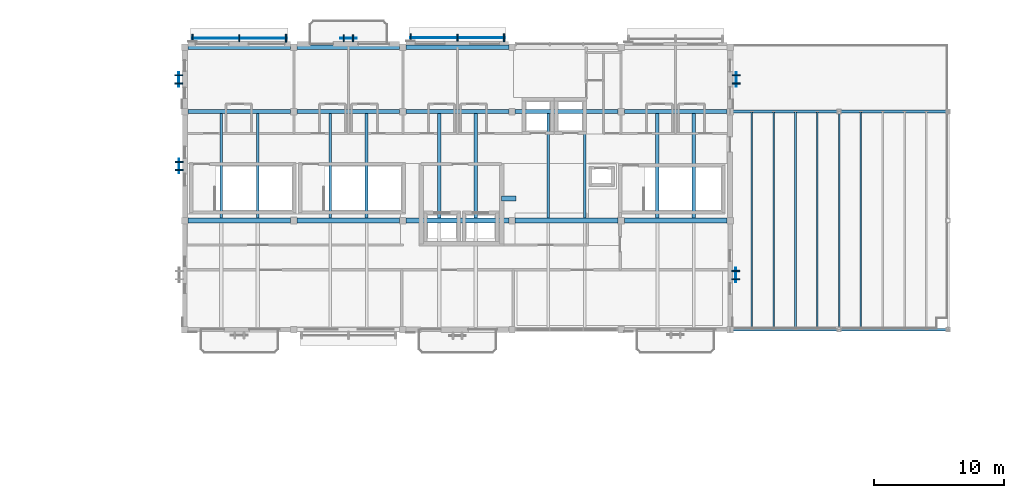
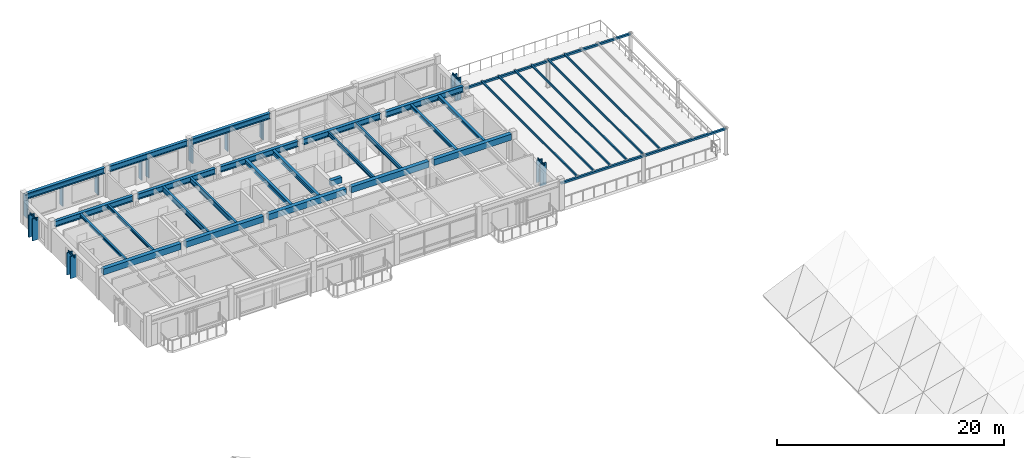
# One storey, part 6 of 24: 31 members, 24 beams, 7 elements without a shape of their own.
"""IFC4 building model written with IfcOpenShell, lengths in metres."""

from ifc_helpers import new_model, si_unit, direction, frame, origin, origin_2d, place, context, subcontext, project, spatial, rectangle, hollow_rectangle, i_section, extrude, material, material_profile, profile_set, type_object, element, aggregate, save


model = new_model("IFC4")

# Units and contexts
model_context = context("Model", 3, precision=1e-05, world=origin(), true_north=direction((0.0, 1.0)))
body_context = subcontext(model_context, "Body", "Model", "MODEL_VIEW")
ifc_project = project(units=[si_unit("LENGTHUNIT", "METRE"), si_unit("AREAUNIT", "SQUARE_METRE"), si_unit("VOLUMEUNIT", "CUBIC_METRE"), si_unit("PLANEANGLEUNIT", "RADIAN"), si_unit("MASSUNIT", "GRAM", prefix="KILO")], contexts=[model_context])

# Site, building, storey
site_placement = place(None, origin())
site = spatial("IfcSite", under=ifc_project, at=site_placement, CompositionType="ELEMENT")
building_placement = place(site_placement, origin())
building = spatial("IfcBuilding", under=site, at=building_placement, Name="Cumbredor Promenade Congress Hotel", CompositionType="ELEMENT")
storey_placement = place(building_placement, frame((0.0, 0.0, 35.280029296875)))
storey = spatial("IfcBuildingStorey", under=building, at=storey_placement, Name="L10", CompositionType="ELEMENT", Elevation=35.280029296875)

# Beams
ifc_material_1 = material(Name="Concrete C40/50", Category="concrete")
ifc_material_profile_1 = material_profile(ifc_material_1, rectangle(XDim=0.39990234375, YDim=0.64990234375, at=origin_2d()), Name="RC BEAM 400x650")
ifc_profile_set_1 = profile_set([ifc_material_profile_1], Name="Concrete C40/50")
beam_type_1 = type_object("IfcBeamType", Name="BM-RC-400x650", PredefinedType="BEAM", material=ifc_profile_set_1)
beam_1_placement = place(storey_placement, frame((8.64990234375, 100.800048828125, 2.81494140625), z_axis=(1.0, 0.0, 0.0), x_axis=(0.0, 1.0, 0.0)))
element("IfcBeam", 1, at=beam_1_placement, inside=storey, type_object=beam_type_1, Name="RF X-Grid Beam 002", PredefinedType="BEAM", context=body_context, shape_type="SweptSolid", body=[
    extrude(rectangle(XDim=0.39990234375, YDim=0.64990234375, at=origin_2d()), origin(), (0.0, 0.0, 1.0), 7.900146484375),
])
beam_2_placement = place(storey_placement, frame((17.050048828125, 100.800048828125, 2.81494140625), z_axis=(1.0, 0.0, 0.0), x_axis=(0.0, 1.0, 0.0)))
element("IfcBeam", 2, at=beam_2_placement, inside=storey, type_object=beam_type_1, Name="RF X-Grid Beam 006", PredefinedType="BEAM", context=body_context, shape_type="SweptSolid", body=[
    extrude(rectangle(XDim=0.39990234375, YDim=0.64990234375, at=origin_2d()), origin(), (0.0, 0.0, 1.0), 7.89990234375),
])
beam_3_placement = place(storey_placement, frame((25.449951171875, 100.800048828125, 2.81494140625), z_axis=(1.0, 0.0, 0.0), x_axis=(0.0, 1.0, 0.0)))
element("IfcBeam", 3, at=beam_3_placement, inside=storey, type_object=beam_type_1, Name="RF X-Grid Beam 010", PredefinedType="BEAM", context=body_context, shape_type="SweptSolid", body=[
    extrude(rectangle(XDim=0.39990234375, YDim=0.64990234375, at=origin_2d()), origin(), (0.0, 0.0, 1.0), 7.900146484375),
])
for number, where, z_axis, x_axis, name in (
    (4, (33.85009765625, 100.800048828125, 2.81494140625), (1.0, 0.0, 0.0), (0.0, 1.0, 0.0), "RF X-Grid Beam 014"),
    (5, (42.25, 100.800048828125, 2.81494140625), (1.0, 0.0, 0.0), (0.0, 1.0, 0.0), "RF X-Grid Beam 018"),
):
    element("IfcBeam", number, at=place(storey_placement, frame(where, z_axis=z_axis, x_axis=x_axis)), inside=storey, type_object=beam_type_1, Name=name, PredefinedType="BEAM", context=body_context, shape_type="SweptSolid", body=[
        extrude(rectangle(XDim=0.39990234375, YDim=0.64990234375, at=origin_2d()), origin(), (0.0, 0.0, 1.0), 7.89990234375),
    ])
ifc_material_2 = material(Name="Steel ASTM A992 Grade 50", Category="steel")
ifc_material_profile_2 = material_profile(ifc_material_2, i_section(OverallWidth=0.323974609375, OverallDepth=0.611083984375, WebThickness=0.0126953125, FlangeThickness=0.01904296875, at=origin_2d()), Name="W24X104")
ifc_profile_set_2 = profile_set([ifc_material_profile_2], Name="Steel ASTM A992 Grade 50")
beam_type_2 = type_object("IfcBeamType", Name="BM-W24X104", PredefinedType="BEAM", material=ifc_profile_set_2)
for number, where, z_axis, x_axis, name in (
    (6, (8.64990234375, 109.199951171875, 2.83447265625), (1.0, 0.0, 0.0), (0.0, 1.0, 0.0), "RF X-Grid Beam 003"),
    (7, (8.64990234375, 114.14990234375, 2.83447265625), (1.0, 0.0, 0.0), (0.0, 1.0, 0.0), "RF X-Grid Beam 004"),
):
    element("IfcBeam", number, at=place(storey_placement, frame(where, z_axis=z_axis, x_axis=x_axis)), inside=storey, type_object=beam_type_2, Name=name, PredefinedType="BEAM", context=body_context, shape_type="SweptSolid", body=[
        extrude(i_section(OverallWidth=0.323974609375, OverallDepth=0.611083984375, WebThickness=0.0126953125, FlangeThickness=0.01904296875, at=origin_2d()), origin(), (0.0, 0.0, 1.0), 7.900146484375),
    ])
for number, where, z_axis, x_axis, name in (
    (8, (17.050048828125, 109.199951171875, 2.83447265625), (1.0, 0.0, 0.0), (0.0, 1.0, 0.0), "RF X-Grid Beam 007"),
    (9, (17.050048828125, 114.14990234375, 2.83447265625), (1.0, 0.0, 0.0), (0.0, 1.0, 0.0), "RF X-Grid Beam 008"),
):
    element("IfcBeam", number, at=place(storey_placement, frame(where, z_axis=z_axis, x_axis=x_axis)), inside=storey, type_object=beam_type_2, Name=name, PredefinedType="BEAM", context=body_context, shape_type="SweptSolid", body=[
        extrude(i_section(OverallWidth=0.323974609375, OverallDepth=0.611083984375, WebThickness=0.0126953125, FlangeThickness=0.01904296875, at=origin_2d()), origin(), (0.0, 0.0, 1.0), 7.89990234375),
    ])
for number, where, z_axis, x_axis, name in (
    (10, (25.449951171875, 109.199951171875, 2.83447265625), (1.0, 0.0, 0.0), (0.0, 1.0, 0.0), "RF X-Grid Beam 011"),
    (11, (25.449951171875, 114.14990234375, 2.83447265625), (1.0, 0.0, 0.0), (0.0, 1.0, 0.0), "RF X-Grid Beam 012"),
):
    element("IfcBeam", number, at=place(storey_placement, frame(where, z_axis=z_axis, x_axis=x_axis)), inside=storey, type_object=beam_type_2, Name=name, PredefinedType="BEAM", context=body_context, shape_type="SweptSolid", body=[
        extrude(i_section(OverallWidth=0.323974609375, OverallDepth=0.611083984375, WebThickness=0.0126953125, FlangeThickness=0.01904296875, at=origin_2d()), origin(), (0.0, 0.0, 1.0), 7.900146484375),
    ])
for number, where, z_axis, x_axis, name in (
    (12, (33.85009765625, 109.199951171875, 2.83447265625), (1.0, 0.0, 0.0), (0.0, 1.0, 0.0), "RF X-Grid Beam 015"),
    (13, (42.25, 109.199951171875, 2.83447265625), (1.0, 0.0, 0.0), (0.0, 1.0, 0.0), "RF X-Grid Beam 019"),
):
    element("IfcBeam", number, at=place(storey_placement, frame(where, z_axis=z_axis, x_axis=x_axis)), inside=storey, type_object=beam_type_2, Name=name, PredefinedType="BEAM", context=body_context, shape_type="SweptSolid", body=[
        extrude(i_section(OverallWidth=0.323974609375, OverallDepth=0.611083984375, WebThickness=0.0126953125, FlangeThickness=0.01904296875, at=origin_2d()), origin(), (0.0, 0.0, 1.0), 7.89990234375),
    ])

# Curtain wall, member
ifc_material_3 = material(Name="Thermally broken anodized aluminium and low-E glass", Category="aluminium")
curtain_wall_type = type_object("IfcCurtainWallType", Name="Solar Brise-Soleil Screen Assembly CW-07", PredefinedType="NOTDEFINED", material=ifc_material_3)
curtain_wall_1_placement = place(storey_placement, origin())
curtain_wall_1 = element("IfcCurtainWall", 14, at=curtain_wall_1_placement, inside=storey, type_object=curtain_wall_type, Name="L10 Hospitality Brise-Soleil Screen 118", PredefinedType="NOTDEFINED")
ifc_material_4 = material(Name="Thermally broken anodized aluminium", Category="aluminium")
ifc_material_profile_3 = material_profile(ifc_material_4, rectangle(XDim=0.06494140625, YDim=0.1298828125, at=origin_2d()), Name="ALU TRANSOM 65x130")
ifc_profile_set_3 = profile_set([ifc_material_profile_3], Name="Thermally broken anodized aluminium")
member_type_1 = type_object("IfcMemberType", Name="Curtain Wall Transom TR-01", PredefinedType="USERDEFINED", material=ifc_profile_set_3)
member_1_placement = place(storey_placement, frame((8.950927734375, 114.8349609375, 2.333984375), z_axis=(1.0, 0.0, 0.0), x_axis=(0.0, 1.0, 0.0)))
member_1 = element("IfcMember", 15, at=member_1_placement, type_object=member_type_1, Name="L10 Brise-Soleil Screen Transom 118", ObjectType="TRANSOM", PredefinedType="USERDEFINED", context=body_context, shape_type="SweptSolid", body=[
    extrude(rectangle(XDim=0.06494140625, YDim=0.1298828125, at=origin_2d()), origin(), (0.0, 0.0, 1.0), 7.298095703125),
])

curtain_wall_2_placement = place(storey_placement, origin())
curtain_wall_2 = element("IfcCurtainWall", 16, at=curtain_wall_2_placement, inside=storey, type_object=curtain_wall_type, Name="L10 Veranda Solar Brise-Soleil Screen 1165", PredefinedType="NOTDEFINED")
member_2_placement = place(storey_placement, frame((20.35009765625, 114.85009765625, 2.43408203125), z_axis=(1.0, 0.0, 0.0), x_axis=(0.0, 1.0, 0.0)))
member_2 = element("IfcMember", 17, at=member_2_placement, type_object=member_type_1, Name="L10 Brise-Soleil Header Tie 1167", ObjectType="TRANSOM", PredefinedType="USERDEFINED", context=body_context, shape_type="SweptSolid", body=[
    extrude(rectangle(XDim=0.06494140625, YDim=0.1298828125, at=origin_2d()), origin(), (0.0, 0.0, 1.0), 1.2998046875),
])

curtain_wall_3_placement = place(storey_placement, origin())
curtain_wall_3 = element("IfcCurtainWall", 18, at=curtain_wall_3_placement, inside=storey, type_object=curtain_wall_type, Name="L10 Hospitality Brise-Soleil Screen 119", PredefinedType="NOTDEFINED")
member_3_placement = place(storey_placement, frame((25.7509765625, 114.87255859375, 2.333984375), z_axis=(1.0, 0.0, 0.0), x_axis=(0.0, 1.0, 0.0)))
member_3 = element("IfcMember", 19, at=member_3_placement, type_object=member_type_1, Name="L10 Brise-Soleil Screen Transom 119", ObjectType="TRANSOM", PredefinedType="USERDEFINED", context=body_context, shape_type="SweptSolid", body=[
    extrude(rectangle(XDim=0.06494140625, YDim=0.1298828125, at=origin_2d()), origin(), (0.0, 0.0, 1.0), 7.298095703125),
])

curtain_wall_4_placement = place(storey_placement, origin())
curtain_wall_4 = element("IfcCurtainWall", 20, at=curtain_wall_4_placement, inside=storey, type_object=curtain_wall_type, Name="L10 Pier Brise-Soleil Screen 1177", PredefinedType="NOTDEFINED")
member_4_placement = place(storey_placement, frame((7.949951171875, 104.449951171875, 2.35400390625), z_axis=(0.0, 1.0, 0.0), x_axis=(-1.0, 0.0, 0.0)))
member_4 = element("IfcMember", 21, at=member_4_placement, type_object=member_type_1, Name="L10 Pier Brise-Soleil Header 1179", ObjectType="TRANSOM", PredefinedType="USERDEFINED", context=body_context, shape_type="SweptSolid", body=[
    extrude(rectangle(XDim=0.06494140625, YDim=0.1298828125, at=origin_2d()), origin(), (0.0, 0.0, 1.0), 1.10009765625),
])

curtain_wall_5_placement = place(storey_placement, origin())
curtain_wall_5 = element("IfcCurtainWall", 22, at=curtain_wall_5_placement, inside=storey, type_object=curtain_wall_type, Name="L10 Pier Brise-Soleil Screen 1180", PredefinedType="NOTDEFINED")
member_5_placement = place(storey_placement, frame((7.927490234375, 111.125, 2.35400390625), z_axis=(0.0, 1.0, 0.0), x_axis=(-1.0, 0.0, 0.0)))
member_5 = element("IfcMember", 23, at=member_5_placement, type_object=member_type_1, Name="L10 Pier Brise-Soleil Header 1182", ObjectType="TRANSOM", PredefinedType="USERDEFINED", context=body_context, shape_type="SweptSolid", body=[
    extrude(rectangle(XDim=0.06494140625, YDim=0.1298828125, at=origin_2d()), origin(), (0.0, 0.0, 1.0), 1.10009765625),
])

curtain_wall_6_placement = place(storey_placement, origin())
curtain_wall_6 = element("IfcCurtainWall", 24, at=curtain_wall_6_placement, inside=storey, type_object=curtain_wall_type, Name="L10 Pier Brise-Soleil Screen 1183", PredefinedType="NOTDEFINED")
member_6_placement = place(storey_placement, frame((50.8349609375, 96.050048828125, 2.35400390625), z_axis=(0.0, 1.0, 0.0), x_axis=(-1.0, 0.0, 0.0)))
member_6 = element("IfcMember", 25, at=member_6_placement, type_object=member_type_1, Name="L10 Pier Brise-Soleil Header 1185", ObjectType="TRANSOM", PredefinedType="USERDEFINED", context=body_context, shape_type="SweptSolid", body=[
    extrude(rectangle(XDim=0.06494140625, YDim=0.1298828125, at=origin_2d()), origin(), (0.0, 0.0, 1.0), 1.099853515625),
])

curtain_wall_7_placement = place(storey_placement, origin())
curtain_wall_7 = element("IfcCurtainWall", 26, at=curtain_wall_7_placement, inside=storey, type_object=curtain_wall_type, Name="L10 Pier Brise-Soleil Screen 1186", PredefinedType="NOTDEFINED")
member_7_placement = place(storey_placement, frame((50.87255859375, 111.125, 2.35400390625), z_axis=(0.0, 1.0, 0.0), x_axis=(-1.0, 0.0, 0.0)))
member_7 = element("IfcMember", 27, at=member_7_placement, type_object=member_type_1, Name="L10 Pier Brise-Soleil Header 1188", ObjectType="TRANSOM", PredefinedType="USERDEFINED", context=body_context, shape_type="SweptSolid", body=[
    extrude(rectangle(XDim=0.06494140625, YDim=0.1298828125, at=origin_2d()), origin(), (0.0, 0.0, 1.0), 1.10009765625),
])

# Beams
ifc_material_profile_4 = material_profile(ifc_material_2, i_section(OverallWidth=0.202880859375, OverallDepth=0.302978515625, WebThickness=0.007568359375, FlangeThickness=0.01318359375, at=origin_2d()), Name="W12X40")
ifc_profile_set_4 = profile_set([ifc_material_profile_4], Name="Steel ASTM A992 Grade 50")
beam_type_3 = type_object("IfcBeamType", Name="JST-W12X40", PredefinedType="JOIST", material=ifc_profile_set_4)
for number, where, z_axis, x_axis, name in (
    (28, (11.199951171875, 101.0, 2.988525390625), (0.0, 1.0, 0.0), (-1.0, 0.0, 0.0), "RF Secondary Floor Joist 0003"),
    (29, (14.0, 101.0, 2.988525390625), (0.0, 1.0, 0.0), (-1.0, 0.0, 0.0), "RF Secondary Floor Joist 0004"),
):
    element("IfcBeam", number, at=place(storey_placement, frame(where, z_axis=z_axis, x_axis=x_axis)), inside=storey, type_object=beam_type_3, Name=name, PredefinedType="JOIST", context=body_context, shape_type="SweptSolid", body=[
        extrude(i_section(OverallWidth=0.202880859375, OverallDepth=0.302978515625, WebThickness=0.007568359375, FlangeThickness=0.01318359375, at=origin_2d()), origin(), (0.0, 0.0, 1.0), 8.0380859375),
    ])
ifc_material_profile_5 = material_profile(ifc_material_2, i_section(OverallWidth=0.2548828125, OverallDepth=0.35693359375, WebThickness=0.010498046875, FlangeThickness=0.018310546875, at=origin_2d()), Name="W14X68")
ifc_profile_set_5 = profile_set([ifc_material_profile_5], Name="Steel ASTM A992 Grade 50")
beam_type_4 = type_object("IfcBeamType", Name="JST-W14X68", PredefinedType="JOIST", material=ifc_profile_set_5)
for number, where, z_axis, x_axis, name in (
    (30, (44.800048828125, 101.0, 2.96142578125), (0.0, 1.0, 0.0), (-1.0, 0.0, 0.0), "RF Secondary Floor Joist 0019"),
    (31, (47.60009765625, 101.0, 2.96142578125), (0.0, 1.0, 0.0), (-1.0, 0.0, 0.0), "RF Secondary Floor Joist 0020"),
):
    element("IfcBeam", number, at=place(storey_placement, frame(where, z_axis=z_axis, x_axis=x_axis)), inside=storey, type_object=beam_type_4, Name=name, PredefinedType="JOIST", context=body_context, shape_type="SweptSolid", body=[
        extrude(i_section(OverallWidth=0.2548828125, OverallDepth=0.35693359375, WebThickness=0.010498046875, FlangeThickness=0.018310546875, at=origin_2d()), origin(), (0.0, 0.0, 1.0), 8.0380859375),
    ])
ifc_material_profile_6 = material_profile(ifc_material_2, i_section(OverallWidth=0.180908203125, OverallDepth=0.4169921875, WebThickness=0.010986328125, FlangeThickness=0.018310546875, at=origin_2d()), Name="W16X57")
ifc_profile_set_6 = profile_set([ifc_material_profile_6], Name="Steel ASTM A992 Grade 50")
beam_type_5 = type_object("IfcBeamType", Name="JST-W16X57", PredefinedType="JOIST", material=ifc_profile_set_6)
for number, where, z_axis, x_axis, name in (
    (32, (36.39990234375, 101.0, 2.931396484375), (0.0, 1.0, 0.0), (-1.0, 0.0, 0.0), "RF Secondary Floor Joist 0015"),
    (33, (39.199951171875, 101.0, 2.931396484375), (0.0, 1.0, 0.0), (-1.0, 0.0, 0.0), "RF Secondary Floor Joist 0016"),
):
    element("IfcBeam", number, at=place(storey_placement, frame(where, z_axis=z_axis, x_axis=x_axis)), inside=storey, type_object=beam_type_5, Name=name, PredefinedType="JOIST", context=body_context, shape_type="SweptSolid", body=[
        extrude(i_section(OverallWidth=0.180908203125, OverallDepth=0.4169921875, WebThickness=0.010986328125, FlangeThickness=0.018310546875, at=origin_2d()), origin(), (0.0, 0.0, 1.0), 8.0380859375),
    ])
ifc_material_profile_7 = material_profile(ifc_material_2, i_section(OverallWidth=0.280029296875, OverallDepth=0.462890625, WebThickness=0.0107421875, FlangeThickness=0.017333984375, at=origin_2d()), Name="W18X76")
ifc_profile_set_7 = profile_set([ifc_material_profile_7], Name="Steel ASTM A992 Grade 50")
beam_type_6 = type_object("IfcBeamType", Name="JST-W18X76", PredefinedType="JOIST", material=ifc_profile_set_7)
for number, where, z_axis, x_axis, name in (
    (34, (28.0, 101.0, 2.908447265625), (0.0, 1.0, 0.0), (-1.0, 0.0, 0.0), "RF Secondary Floor Joist 0011"),
    (35, (30.800048828125, 101.0, 2.908447265625), (0.0, 1.0, 0.0), (-1.0, 0.0, 0.0), "RF Secondary Floor Joist 0012"),
):
    element("IfcBeam", number, at=place(storey_placement, frame(where, z_axis=z_axis, x_axis=x_axis)), inside=storey, type_object=beam_type_6, Name=name, PredefinedType="JOIST", context=body_context, shape_type="SweptSolid", body=[
        extrude(i_section(OverallWidth=0.280029296875, OverallDepth=0.462890625, WebThickness=0.0107421875, FlangeThickness=0.017333984375, at=origin_2d()), origin(), (0.0, 0.0, 1.0), 8.0380859375),
    ])
ifc_material_profile_8 = material_profile(ifc_material_2, i_section(OverallWidth=0.214111328125, OverallDepth=0.549072265625, WebThickness=0.0146484375, FlangeThickness=0.023681640625, at=origin_2d()), Name="W21X93")
ifc_profile_set_8 = profile_set([ifc_material_profile_8], Name="Steel ASTM A992 Grade 50")
beam_type_7 = type_object("IfcBeamType", Name="JST-W21X93", PredefinedType="JOIST", material=ifc_profile_set_8)
for number, where, z_axis, x_axis, name in (
    (36, (19.60009765625, 101.0, 2.865478515625), (0.0, 1.0, 0.0), (-1.0, 0.0, 0.0), "RF Secondary Floor Joist 0007"),
    (37, (22.39990234375, 101.0, 2.865478515625), (0.0, 1.0, 0.0), (-1.0, 0.0, 0.0), "RF Secondary Floor Joist 0008"),
):
    element("IfcBeam", number, at=place(storey_placement, frame(where, z_axis=z_axis, x_axis=x_axis)), inside=storey, type_object=beam_type_7, Name=name, PredefinedType="JOIST", context=body_context, shape_type="SweptSolid", body=[
        extrude(i_section(OverallWidth=0.214111328125, OverallDepth=0.549072265625, WebThickness=0.0146484375, FlangeThickness=0.023681640625, at=origin_2d()), origin(), (0.0, 0.0, 1.0), 8.0380859375),
    ])
ifc_material_profile_9 = material_profile(ifc_material_1, rectangle(XDim=0.35009765625, YDim=0.60009765625, at=origin_2d()), Name="RC LINTEL 350x600")
ifc_profile_set_9 = profile_set([ifc_material_profile_9], Name="Concrete C40/50")
beam_type_8 = type_object("IfcBeamType", Name="LN-RC-350x600", PredefinedType="LINTEL", material=ifc_profile_set_9)
beam_4_placement = place(storey_placement, frame((32.800048828125, 102.5, 2.840087890625), z_axis=(1.0, 0.0, 0.0), x_axis=(0.0, 1.0, 0.0)))
element("IfcBeam", 38, at=beam_4_placement, inside=storey, type_object=beam_type_8, Name="L10 Core Coupling Lintel Beam", PredefinedType="LINTEL", context=body_context, shape_type="SweptSolid", body=[
    extrude(rectangle(XDim=0.35009765625, YDim=0.60009765625, at=origin_2d()), origin(), (0.0, 0.0, 1.0), 1.099853515625),
])

# Members
ifc_material_5 = material(Name="Steel ASTM A500 Grade C", Category="steel")
ifc_material_profile_10 = material_profile(ifc_material_5, hollow_rectangle(XDim=0.199951171875, YDim=0.199951171875, WallThickness=0.012451171875, at=origin_2d()), Name="HSS 200x200x12.5")
ifc_profile_set_10 = profile_set([ifc_material_profile_10], Name="Steel ASTM A500 Grade C")
member_type_2 = type_object("IfcMemberType", Name="Link Bridge Truss Chord", PredefinedType="CHORD", material=ifc_profile_set_10)
for number, where, z_axis, x_axis, name in (
    (39, (50.39990234375, 92.39990234375, 2.75), (1.0, 0.0, 0.0), (0.0, 1.0, 0.0), "L10 Sky-Garden Pergola Tie Beam 5S"),
    (40, (50.39990234375, 109.199951171875, 2.75), (1.0, 0.0, 0.0), (0.0, 1.0, 0.0), "L10 Sky-Garden Pergola Tie Beam 5N"),
):
    element("IfcMember", number, at=place(storey_placement, frame(where, z_axis=z_axis, x_axis=x_axis)), inside=storey, type_object=member_type_2, Name=name, PredefinedType="CHORD", context=body_context, shape_type="SweptSolid", body=[
        extrude(hollow_rectangle(XDim=0.199951171875, YDim=0.199951171875, WallThickness=0.012451171875, at=origin_2d()), origin(), (0.0, 0.0, 1.0), 16.800048828125),
    ])
ifc_material_profile_11 = material_profile(ifc_material_5, hollow_rectangle(XDim=0.1201171875, YDim=0.199951171875, WallThickness=0.010009765625, at=origin_2d()), Name="HSS 200x120x10")
ifc_profile_set_11 = profile_set([ifc_material_profile_11], Name="Steel ASTM A500 Grade C")
member_type_3 = type_object("IfcMemberType", Name="Roof Purlin HSS200x120", PredefinedType="PURLIN", material=ifc_profile_set_11)
for number, where, z_axis, x_axis, name in (
    (41, (52.080078125, 92.39990234375, 2.89990234375), (0.0, 1.0, 0.0), (-1.0, 0.0, 0.0), "L10 Sky-Garden Trellis Slat 5.2"),
    (42, (53.760009765625, 92.39990234375, 2.89990234375), (0.0, 1.0, 0.0), (-1.0, 0.0, 0.0), "L10 Sky-Garden Trellis Slat 5.3"),
    (43, (55.43994140625, 92.39990234375, 2.89990234375), (0.0, 1.0, 0.0), (-1.0, 0.0, 0.0), "L10 Sky-Garden Trellis Slat 5.4"),
    (44, (57.1201171875, 92.39990234375, 2.89990234375), (0.0, 1.0, 0.0), (-1.0, 0.0, 0.0), "L10 Sky-Garden Trellis Slat 5.5"),
    (45, (58.800048828125, 92.39990234375, 2.89990234375), (0.0, 1.0, 0.0), (-1.0, 0.0, 0.0), "L10 Sky-Garden Trellis Slat 5.6"),
    (46, (60.47998046875, 92.39990234375, 2.89990234375), (0.0, 1.0, 0.0), (-1.0, 0.0, 0.0), "L10 Sky-Garden Trellis Slat 5.7"),
):
    element("IfcMember", number, at=place(storey_placement, frame(where, z_axis=z_axis, x_axis=x_axis)), inside=storey, type_object=member_type_3, Name=name, PredefinedType="PURLIN", context=body_context, shape_type="SweptSolid", body=[
        extrude(hollow_rectangle(XDim=0.1201171875, YDim=0.199951171875, WallThickness=0.010009765625, at=origin_2d()), origin(), (0.0, 0.0, 1.0), 16.800048828125),
    ])

# Member
ifc_material_profile_12 = material_profile(ifc_material_4, rectangle(XDim=0.110107421875, YDim=0.6201171875, at=origin_2d()), Name="ARCH FIN 110x620")
ifc_profile_set_12 = profile_set([ifc_material_profile_12], Name="Thermally broken anodized aluminium")
member_type_4 = type_object("IfcMemberType", Name="Vertical Bronze Brise-Soleil Fin BSF-02 110x620", PredefinedType="USERDEFINED", material=ifc_profile_set_12)
member_8_placement = place(storey_placement, frame((9.0009765625, 114.8349609375, 0.02001953125), z_axis=(0.0, 0.0, 1.0), x_axis=(1.0, 0.0, 0.0)))
member_8 = element("IfcMember", 47, at=member_8_placement, type_object=member_type_4, Name="L10 Vertical Brise-Soleil Fin 1162", ObjectType="SOLAR FIN", PredefinedType="USERDEFINED", context=body_context, shape_type="SweptSolid", body=[
    extrude(rectangle(XDim=0.110107421875, YDim=0.6201171875, at=origin_2d()), origin(), (0.0, 0.0, 1.0), 2.3740234375),
])

member_9_placement = place(storey_placement, frame((16.198974609375, 114.8349609375, 0.02001953125), z_axis=(0.0, 0.0, 1.0), x_axis=(1.0, 0.0, 0.0)))
member_9 = element("IfcMember", 48, at=member_9_placement, type_object=member_type_4, Name="L10 Vertical Brise-Soleil Fin 1164", ObjectType="SOLAR FIN", PredefinedType="USERDEFINED", context=body_context, shape_type="SweptSolid", body=[
    extrude(rectangle(XDim=0.110107421875, YDim=0.6201171875, at=origin_2d()), origin(), (0.0, 0.0, 1.0), 2.3740234375),
])

member_10_placement = place(storey_placement, frame((25.801025390625, 114.87255859375, 0.02001953125), z_axis=(0.0, 0.0, 1.0), x_axis=(1.0, 0.0, 0.0)))
member_10 = element("IfcMember", 49, at=member_10_placement, type_object=member_type_4, Name="L10 Vertical Brise-Soleil Fin 1168", ObjectType="SOLAR FIN", PredefinedType="USERDEFINED", context=body_context, shape_type="SweptSolid", body=[
    extrude(rectangle(XDim=0.110107421875, YDim=0.6201171875, at=origin_2d()), origin(), (0.0, 0.0, 1.0), 2.3740234375),
])

member_11_placement = place(storey_placement, frame((32.9990234375, 114.87255859375, 0.02001953125), z_axis=(0.0, 0.0, 1.0), x_axis=(1.0, 0.0, 0.0)))
member_11 = element("IfcMember", 50, at=member_11_placement, type_object=member_type_4, Name="L10 Vertical Brise-Soleil Fin 1170", ObjectType="SOLAR FIN", PredefinedType="USERDEFINED", context=body_context, shape_type="SweptSolid", body=[
    extrude(rectangle(XDim=0.110107421875, YDim=0.6201171875, at=origin_2d()), origin(), (0.0, 0.0, 1.0), 2.3740234375),
])

member_12_placement = place(storey_placement, frame((7.949951171875, 104.679931640625, 0.02001953125), z_axis=(0.0, 0.0, 1.0), x_axis=(0.0, 1.0, 0.0)))
member_12 = element("IfcMember", 51, at=member_12_placement, type_object=member_type_4, Name="L10 Pier Brise-Soleil Fin 1178", ObjectType="SOLAR FIN", PredefinedType="USERDEFINED", context=body_context, shape_type="SweptSolid", body=[
    extrude(rectangle(XDim=0.110107421875, YDim=0.6201171875, at=origin_2d()), origin(), (0.0, 0.0, 1.0), 2.3740234375),
])

member_13_placement = place(storey_placement, frame((7.949951171875, 105.320068359375, 0.02001953125), z_axis=(0.0, 0.0, 1.0), x_axis=(0.0, 1.0, 0.0)))
member_13 = element("IfcMember", 52, at=member_13_placement, type_object=member_type_4, Name="L10 Pier Brise-Soleil Fin 1179", ObjectType="SOLAR FIN", PredefinedType="USERDEFINED", context=body_context, shape_type="SweptSolid", body=[
    extrude(rectangle(XDim=0.110107421875, YDim=0.6201171875, at=origin_2d()), origin(), (0.0, 0.0, 1.0), 2.3740234375),
])

aggregate(curtain_wall_4, [member_12, member_13, member_4])

member_14_placement = place(storey_placement, frame((7.927490234375, 111.35498046875, 0.02001953125), z_axis=(0.0, 0.0, 1.0), x_axis=(0.0, 1.0, 0.0)))
member_14 = element("IfcMember", 53, at=member_14_placement, type_object=member_type_4, Name="L10 Pier Brise-Soleil Fin 1181", ObjectType="SOLAR FIN", PredefinedType="USERDEFINED", context=body_context, shape_type="SweptSolid", body=[
    extrude(rectangle(XDim=0.110107421875, YDim=0.6201171875, at=origin_2d()), origin(), (0.0, 0.0, 1.0), 2.3740234375),
])

member_15_placement = place(storey_placement, frame((7.927490234375, 111.9951171875, 0.02001953125), z_axis=(0.0, 0.0, 1.0), x_axis=(0.0, 1.0, 0.0)))
member_15 = element("IfcMember", 54, at=member_15_placement, type_object=member_type_4, Name="L10 Pier Brise-Soleil Fin 1182", ObjectType="SOLAR FIN", PredefinedType="USERDEFINED", context=body_context, shape_type="SweptSolid", body=[
    extrude(rectangle(XDim=0.110107421875, YDim=0.6201171875, at=origin_2d()), origin(), (0.0, 0.0, 1.0), 2.3740234375),
])

aggregate(curtain_wall_5, [member_14, member_15, member_5])

member_16_placement = place(storey_placement, frame((50.8349609375, 96.280029296875, 0.02001953125), z_axis=(0.0, 0.0, 1.0), x_axis=(0.0, 1.0, 0.0)))
member_16 = element("IfcMember", 55, at=member_16_placement, type_object=member_type_4, Name="L10 Pier Brise-Soleil Fin 1184", ObjectType="SOLAR FIN", PredefinedType="USERDEFINED", context=body_context, shape_type="SweptSolid", body=[
    extrude(rectangle(XDim=0.110107421875, YDim=0.6201171875, at=origin_2d()), origin(), (0.0, 0.0, 1.0), 2.3740234375),
])

member_17_placement = place(storey_placement, frame((50.8349609375, 96.919921875, 0.02001953125), z_axis=(0.0, 0.0, 1.0), x_axis=(0.0, 1.0, 0.0)))
member_17 = element("IfcMember", 56, at=member_17_placement, type_object=member_type_4, Name="L10 Pier Brise-Soleil Fin 1185", ObjectType="SOLAR FIN", PredefinedType="USERDEFINED", context=body_context, shape_type="SweptSolid", body=[
    extrude(rectangle(XDim=0.110107421875, YDim=0.6201171875, at=origin_2d()), origin(), (0.0, 0.0, 1.0), 2.3740234375),
])

aggregate(curtain_wall_6, [member_16, member_17, member_6])

member_18_placement = place(storey_placement, frame((50.87255859375, 111.35498046875, 0.02001953125), z_axis=(0.0, 0.0, 1.0), x_axis=(0.0, 1.0, 0.0)))
member_18 = element("IfcMember", 57, at=member_18_placement, type_object=member_type_4, Name="L10 Pier Brise-Soleil Fin 1187", ObjectType="SOLAR FIN", PredefinedType="USERDEFINED", context=body_context, shape_type="SweptSolid", body=[
    extrude(rectangle(XDim=0.110107421875, YDim=0.6201171875, at=origin_2d()), origin(), (0.0, 0.0, 1.0), 2.3740234375),
])

member_19_placement = place(storey_placement, frame((50.87255859375, 111.9951171875, 0.02001953125), z_axis=(0.0, 0.0, 1.0), x_axis=(0.0, 1.0, 0.0)))
member_19 = element("IfcMember", 58, at=member_19_placement, type_object=member_type_4, Name="L10 Pier Brise-Soleil Fin 1188", ObjectType="SOLAR FIN", PredefinedType="USERDEFINED", context=body_context, shape_type="SweptSolid", body=[
    extrude(rectangle(XDim=0.110107421875, YDim=0.6201171875, at=origin_2d()), origin(), (0.0, 0.0, 1.0), 2.3740234375),
])

aggregate(curtain_wall_7, [member_18, member_19, member_7])

ifc_material_6 = material(Name="Kiln-dried tropical hardwood", Category="wood")
ifc_material_profile_13 = material_profile(ifc_material_6, rectangle(XDim=0.090087890625, YDim=0.550048828125, at=origin_2d()), Name="ARCH FIN 90x550")
ifc_profile_set_13 = profile_set([ifc_material_profile_13], Name="Kiln-dried tropical hardwood")
member_type_5 = type_object("IfcMemberType", Name="Vertical Hardwood Brise-Soleil Fin BSF-01 90x550", PredefinedType="USERDEFINED", material=ifc_profile_set_13)
member_20_placement = place(storey_placement, frame((12.60009765625, 114.8349609375, 0.02001953125), z_axis=(0.0, 0.0, 1.0), x_axis=(1.0, 0.0, 0.0)))
member_20 = element("IfcMember", 59, at=member_20_placement, type_object=member_type_5, Name="L10 Vertical Brise-Soleil Fin 1163", ObjectType="SOLAR FIN", PredefinedType="USERDEFINED", context=body_context, shape_type="SweptSolid", body=[
    extrude(rectangle(XDim=0.090087890625, YDim=0.550048828125, at=origin_2d()), origin(), (0.0, 0.0, 1.0), 2.3740234375),
])

aggregate(curtain_wall_1, [member_1, member_8, member_20, member_9])

member_21_placement = place(storey_placement, frame((20.64990234375, 114.85009765625, -0.010009765625), z_axis=(0.0, 0.0, 1.0), x_axis=(1.0, 0.0, 0.0)))
member_21 = element("IfcMember", 60, at=member_21_placement, type_object=member_type_5, Name="L10 Vertical Hardwood Brise-Soleil Fin 1166", ObjectType="SOLAR FIN", PredefinedType="USERDEFINED", context=body_context, shape_type="SweptSolid", body=[
    extrude(rectangle(XDim=0.090087890625, YDim=0.550048828125, at=origin_2d()), origin(), (0.0, 0.0, 1.0), 2.50390625),
])

member_22_placement = place(storey_placement, frame((21.35009765625, 114.85009765625, -0.010009765625), z_axis=(0.0, 0.0, 1.0), x_axis=(1.0, 0.0, 0.0)))
member_22 = element("IfcMember", 61, at=member_22_placement, type_object=member_type_5, Name="L10 Vertical Hardwood Brise-Soleil Fin 1167", ObjectType="SOLAR FIN", PredefinedType="USERDEFINED", context=body_context, shape_type="SweptSolid", body=[
    extrude(rectangle(XDim=0.090087890625, YDim=0.550048828125, at=origin_2d()), origin(), (0.0, 0.0, 1.0), 2.50390625),
])

aggregate(curtain_wall_2, [member_21, member_22, member_2])

member_23_placement = place(storey_placement, frame((29.39990234375, 114.87255859375, 0.02001953125), z_axis=(0.0, 0.0, 1.0), x_axis=(1.0, 0.0, 0.0)))
member_23 = element("IfcMember", 62, at=member_23_placement, type_object=member_type_5, Name="L10 Vertical Brise-Soleil Fin 1169", ObjectType="SOLAR FIN", PredefinedType="USERDEFINED", context=body_context, shape_type="SweptSolid", body=[
    extrude(rectangle(XDim=0.090087890625, YDim=0.550048828125, at=origin_2d()), origin(), (0.0, 0.0, 1.0), 2.3740234375),
])

aggregate(curtain_wall_3, [member_3, member_10, member_23, member_11])

save(model, "model.ifc")
